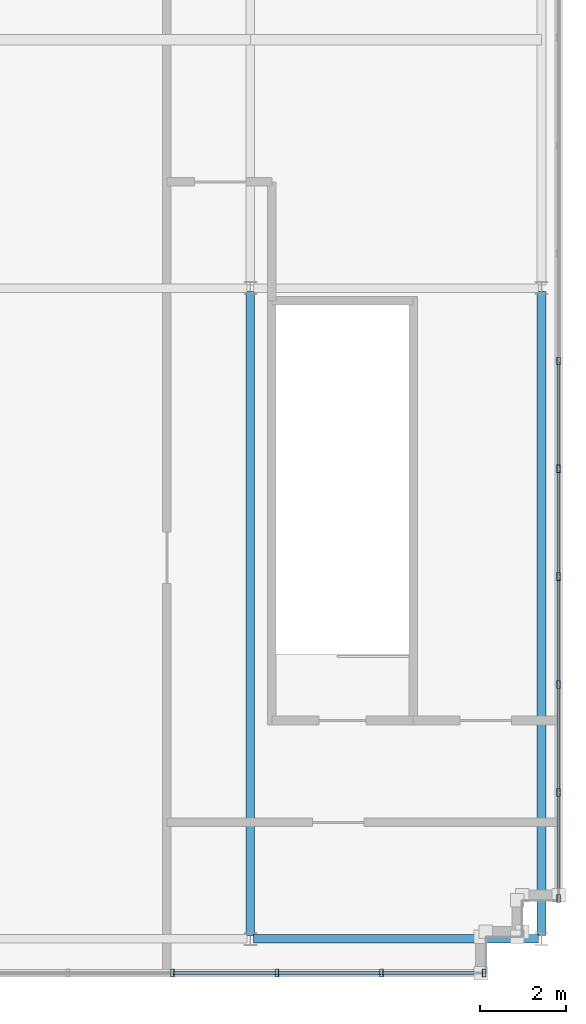
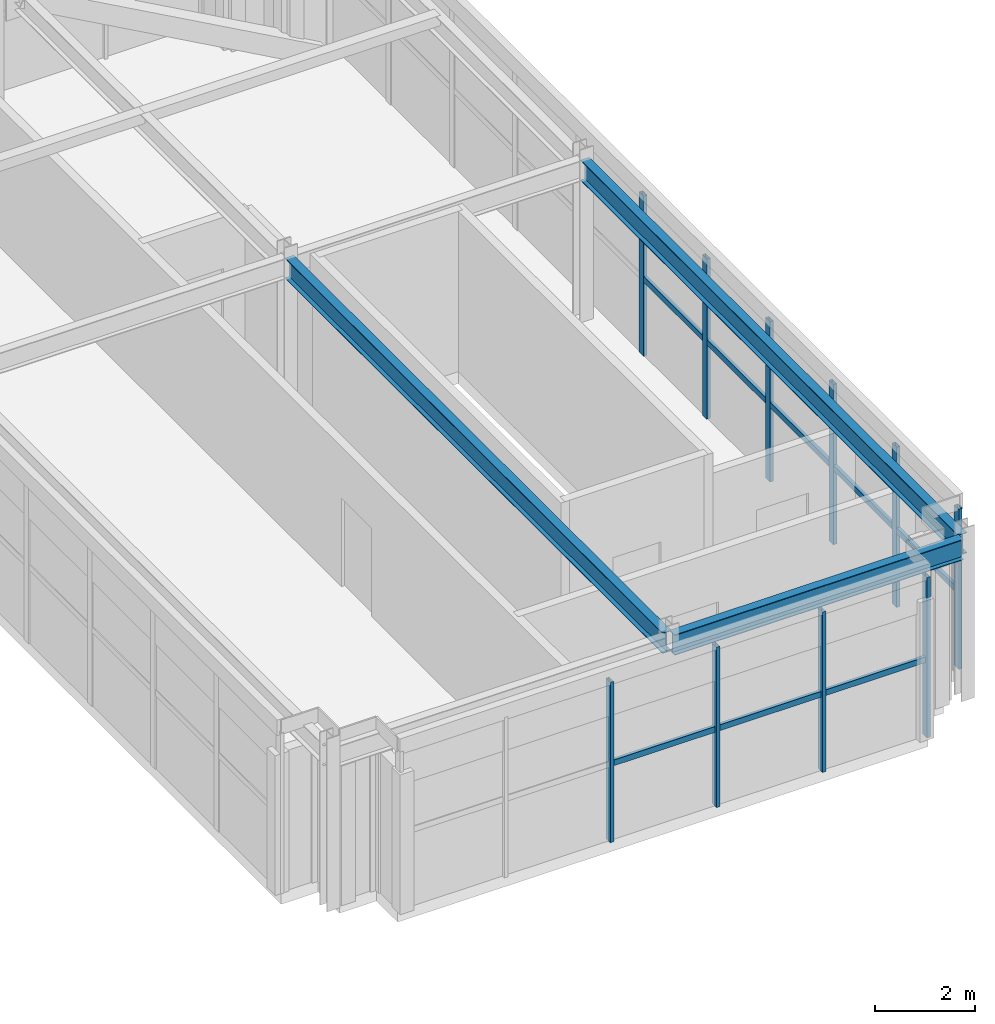
# One storey, part 14 of 25: 18 members, 3 beams, 2 elements without a shape of their own.
"""IFC4 building model written with IfcOpenShell, lengths in metres."""

from ifc_helpers import new_model, si_unit, direction, frame, origin, origin_2d, place, context, subcontext, project, spatial, hollow_rectangle, i_section, extrude, source, transform, mapped, material, material_profile, profile_set, type_object, element, aggregate, save


model = new_model("IFC4")

# Units and contexts
model_context = context("Model", 3, precision=1e-05, world=origin(), true_north=direction((0.0, 1.0)))
body_context = subcontext(model_context, "Body", "Model", "MODEL_VIEW")
ifc_project = project(units=[si_unit("LENGTHUNIT", "METRE"), si_unit("AREAUNIT", "SQUARE_METRE"), si_unit("VOLUMEUNIT", "CUBIC_METRE"), si_unit("PLANEANGLEUNIT", "RADIAN"), si_unit("MASSUNIT", "GRAM", prefix="KILO")], contexts=[model_context])

# Site, building, storey
site_placement = place(None, origin())
site = spatial("IfcSite", under=ifc_project, at=site_placement, CompositionType="ELEMENT")
building_placement = place(site_placement, origin())
building = spatial("IfcBuilding", under=site, at=building_placement, Name="Trelvane Seafront Commons", CompositionType="ELEMENT")
storey_placement = place(building_placement, frame((0.0, 0.0, 320.89990234375)))
storey = spatial("IfcBuildingStorey", under=building, at=storey_placement, Name="L83", CompositionType="ELEMENT", Elevation=320.89990234375)

# Beams
ifc_material_1 = material(Name="Steel SM355 (S355)", Category="steel")
ifc_material_profile_1 = material_profile(ifc_material_1, i_section(OverallWidth=0.199951171875, OverallDepth=0.5, WebThickness=0.010009765625, FlangeThickness=0.01611328125, at=origin_2d()), Name="H-500x200x10x16")
ifc_profile_set_1 = profile_set([ifc_material_profile_1], Name="Steel SM355 (S355)")
beam_type_1 = type_object("IfcBeamType", Name="STR-CROWN-FRAME-RING", PredefinedType="SPANDREL", material=ifc_profile_set_1)
shared_shape_1 = source(origin(), body_context, "Body", "SweptSolid", [
    extrude(i_section(OverallWidth=0.199951171875, OverallDepth=0.5, WebThickness=0.010009765625, FlangeThickness=0.01611328125, at=origin_2d()), origin(), (0.0, 0.0, 1.0), 6.64990234375),
])
beam_placement = place(storey_placement, frame((58.875, 18.199951171875, 3.650146484375), z_axis=(1.0, 0.0, 0.0), x_axis=(0.0, 1.0, 0.0)))
element("IfcBeam", 1, at=beam_placement, inside=storey, type_object=beam_type_1, Name="L83 CROWN FRAME Ring Beam G-04", PredefinedType="SPANDREL", context=body_context, shape_type="MappedRepresentation", body=[
    mapped(shared_shape_1, transform((0.0, 0.0, 0.0), x_axis=(1.0, 0.0, 0.0), y_axis=(0.0, 1.0, 0.0), z_axis=(0.0, 0.0, 1.0), scale=1.0)),
])
ifc_material_profile_2 = material_profile(ifc_material_1, i_section(OverallWidth=0.199951171875, OverallDepth=0.5, WebThickness=0.010009765625, FlangeThickness=0.01611328125, at=origin_2d()), Name="H-500x200x10x16")
ifc_profile_set_2 = profile_set([ifc_material_profile_2], Name="Steel SM355 (S355)")
beam_type_2 = type_object("IfcBeamType", Name="STR-BM-H500", PredefinedType="BEAM", material=ifc_profile_set_2)
shared_shape_2 = source(origin(), body_context, "Body", "SweptSolid", [
    extrude(i_section(OverallWidth=0.199951171875, OverallDepth=0.5, WebThickness=0.010009765625, FlangeThickness=0.01611328125, at=origin_2d()), origin(), (0.0, 0.0, 1.0), 15.050048828125),
])
for number, where, z_axis, x_axis, name in (
    (2, (58.800048828125, 18.27490234375, 3.650146484375), (0.0, 1.0, 0.0), (-1.0, 0.0, 0.0), "L83 Primary Girder G-21"),
    (3, (65.60009765625, 18.27490234375, 3.650146484375), (0.0, 1.0, 0.0), (-1.0, 0.0, 0.0), "L83 Primary Girder G-23"),
):
    element("IfcBeam", number, at=place(storey_placement, frame(where, z_axis=z_axis, x_axis=x_axis)), inside=storey, type_object=beam_type_2, Name=name, PredefinedType="BEAM", context=body_context, shape_type="MappedRepresentation", body=[
        mapped(shared_shape_2, transform((0.0, 0.0, 0.0), x_axis=(1.0, 0.0, 0.0), y_axis=(0.0, 1.0, 0.0), z_axis=(0.0, 0.0, 1.0), scale=1.0)),
    ])

# Curtain wall, members
ifc_material_2 = material(Name="Anodised pale-silver aluminium", Category="aluminium")
curtain_wall_type = type_object("IfcCurtainWallType", Name="ARCH-CW6-CROWN", PredefinedType="NOTDEFINED", material=ifc_material_2)
curtain_wall_1_placement = place(storey_placement, origin())
curtain_wall_1 = element("IfcCurtainWall", 4, at=curtain_wall_1_placement, inside=storey, type_object=curtain_wall_type, Name="CW-L83-0166", PredefinedType="NOTDEFINED")
ifc_material_profile_3 = material_profile(ifc_material_2, hollow_rectangle(XDim=0.080078125, YDim=0.179931640625, WallThickness=0.00439453125, at=origin_2d()), Name="MULL-80x180x4.5")
ifc_profile_set_3 = profile_set([ifc_material_profile_3], Name="Anodised pale-silver aluminium")
member_type_1 = type_object("IfcMemberType", Name="ARCH-CW-MULL-180", PredefinedType="MULLION", material=ifc_profile_set_3)
shared_shape_3 = source(origin(), body_context, "Body", "SweptSolid", [
    extrude(hollow_rectangle(XDim=0.080078125, YDim=0.179931640625, WallThickness=0.00439453125, at=origin_2d()), origin(), (0.0, 0.0, 1.0), 3.900146484375),
])
member_1_placement = place(storey_placement, frame((66.0, 31.699951171875, 0.0), z_axis=(0.0, 0.0, 1.0), x_axis=(1.0, 0.0, 0.0)))
member_1 = element("IfcMember", 5, at=member_1_placement, type_object=member_type_1, Name="CW-L83-0166-M05", PredefinedType="MULLION", context=body_context, shape_type="MappedRepresentation", body=[
    mapped(shared_shape_3, transform((0.0, 0.0, 0.0), x_axis=(1.0, 0.0, 0.0), y_axis=(0.0, 1.0, 0.0), z_axis=(0.0, 0.0, 1.0), scale=1.0)),
])
member_2_placement = place(storey_placement, frame((66.0, 29.179931640625, 0.0), z_axis=(0.0, 0.0, 1.0), x_axis=(1.0, 0.0, 0.0)))
member_2 = element("IfcMember", 6, at=member_2_placement, type_object=member_type_1, Name="CW-L83-0166-M06", PredefinedType="MULLION", context=body_context, shape_type="MappedRepresentation", body=[
    mapped(shared_shape_3, transform((0.0, 0.0, 0.0), x_axis=(1.0, 0.0, 0.0), y_axis=(0.0, 1.0, 0.0), z_axis=(0.0, 0.0, 1.0), scale=1.0)),
])
member_3_placement = place(storey_placement, frame((66.0, 26.659912109375, 0.0), z_axis=(0.0, 0.0, 1.0), x_axis=(1.0, 0.0, 0.0)))
member_3 = element("IfcMember", 7, at=member_3_placement, type_object=member_type_1, Name="CW-L83-0166-M07", PredefinedType="MULLION", context=body_context, shape_type="MappedRepresentation", body=[
    mapped(shared_shape_3, transform((0.0, 0.0, 0.0), x_axis=(1.0, 0.0, 0.0), y_axis=(0.0, 1.0, 0.0), z_axis=(0.0, 0.0, 1.0), scale=1.0)),
])
member_4_placement = place(storey_placement, frame((66.0, 24.139892578125, 0.0), z_axis=(0.0, 0.0, 1.0), x_axis=(1.0, 0.0, 0.0)))
member_4 = element("IfcMember", 8, at=member_4_placement, type_object=member_type_1, Name="CW-L83-0166-M08", PredefinedType="MULLION", context=body_context, shape_type="MappedRepresentation", body=[
    mapped(shared_shape_3, transform((0.0, 0.0, 0.0), x_axis=(1.0, 0.0, 0.0), y_axis=(0.0, 1.0, 0.0), z_axis=(0.0, 0.0, 1.0), scale=1.0)),
])
member_5_placement = place(storey_placement, frame((66.0, 21.6201171875, 0.0), z_axis=(0.0, 0.0, 1.0), x_axis=(1.0, 0.0, 0.0)))
member_5 = element("IfcMember", 9, at=member_5_placement, type_object=member_type_1, Name="CW-L83-0166-M09", PredefinedType="MULLION", context=body_context, shape_type="MappedRepresentation", body=[
    mapped(shared_shape_3, transform((0.0, 0.0, 0.0), x_axis=(1.0, 0.0, 0.0), y_axis=(0.0, 1.0, 0.0), z_axis=(0.0, 0.0, 1.0), scale=1.0)),
])
member_6_placement = place(storey_placement, frame((66.0, 19.139892578125, 0.0), z_axis=(0.0, 0.0, 1.0), x_axis=(1.0, 0.0, 0.0)))
member_6 = element("IfcMember", 10, at=member_6_placement, type_object=member_type_1, Name="CW-L83-0166-M10", PredefinedType="MULLION", context=body_context, shape_type="MappedRepresentation", body=[
    mapped(shared_shape_3, transform((0.0, 0.0, 0.0), x_axis=(1.0, 0.0, 0.0), y_axis=(0.0, 1.0, 0.0), z_axis=(0.0, 0.0, 1.0), scale=1.0)),
])

curtain_wall_2_placement = place(storey_placement, origin())
curtain_wall_2 = element("IfcCurtainWall", 11, at=curtain_wall_2_placement, inside=storey, type_object=curtain_wall_type, Name="CW-L83-0167", PredefinedType="NOTDEFINED")
member_7_placement = place(storey_placement, frame((64.260009765625, 17.39990234375, 0.0), z_axis=(0.0, 0.0, 1.0), x_axis=(1.0, 0.0, 0.0)))
member_7 = element("IfcMember", 12, at=member_7_placement, type_object=member_type_1, Name="CW-L83-0167-M00", PredefinedType="MULLION", context=body_context, shape_type="MappedRepresentation", body=[
    mapped(shared_shape_3, transform((0.0, 0.0, 0.0), x_axis=(1.0, 0.0, 0.0), y_axis=(0.0, 1.0, 0.0), z_axis=(0.0, 0.0, 1.0), scale=1.0)),
])
member_8_placement = place(storey_placement, frame((61.860107421875, 17.39990234375, 0.0), z_axis=(0.0, 0.0, 1.0), x_axis=(1.0, 0.0, 0.0)))
member_8 = element("IfcMember", 13, at=member_8_placement, type_object=member_type_1, Name="CW-L83-0167-M01", PredefinedType="MULLION", context=body_context, shape_type="MappedRepresentation", body=[
    mapped(shared_shape_3, transform((0.0, 0.0, 0.0), x_axis=(1.0, 0.0, 0.0), y_axis=(0.0, 1.0, 0.0), z_axis=(0.0, 0.0, 1.0), scale=1.0)),
])
member_9_placement = place(storey_placement, frame((59.419921875, 17.39990234375, 0.0), z_axis=(0.0, 0.0, 1.0), x_axis=(1.0, 0.0, 0.0)))
member_9 = element("IfcMember", 14, at=member_9_placement, type_object=member_type_1, Name="CW-L83-0167-M02", PredefinedType="MULLION", context=body_context, shape_type="MappedRepresentation", body=[
    mapped(shared_shape_3, transform((0.0, 0.0, 0.0), x_axis=(1.0, 0.0, 0.0), y_axis=(0.0, 1.0, 0.0), z_axis=(0.0, 0.0, 1.0), scale=1.0)),
])
member_10_placement = place(storey_placement, frame((56.97998046875, 17.39990234375, 0.0), z_axis=(0.0, 0.0, 1.0), x_axis=(1.0, 0.0, 0.0)))
member_10 = element("IfcMember", 15, at=member_10_placement, type_object=member_type_1, Name="CW-L83-0167-M03", PredefinedType="MULLION", context=body_context, shape_type="MappedRepresentation", body=[
    mapped(shared_shape_3, transform((0.0, 0.0, 0.0), x_axis=(1.0, 0.0, 0.0), y_axis=(0.0, 1.0, 0.0), z_axis=(0.0, 0.0, 1.0), scale=1.0)),
])

# Member
ifc_material_profile_4 = material_profile(ifc_material_2, hollow_rectangle(XDim=0.074951171875, YDim=0.139892578125, WallThickness=0.00390625, at=origin_2d()), Name="TRAN-75x140x4")
ifc_profile_set_4 = profile_set([ifc_material_profile_4], Name="Anodised pale-silver aluminium")
member_type_2 = type_object("IfcMemberType", Name="ARCH-CW-TRAN-140", PredefinedType="USERDEFINED", material=ifc_profile_set_4)
shared_shape_4 = source(origin(), body_context, "Body", "SweptSolid", [
    extrude(hollow_rectangle(XDim=0.074951171875, YDim=0.139892578125, WallThickness=0.00390625, at=origin_2d()), origin(), (0.0, 0.0, 1.0), 2.495849609375),
])
member_11_placement = place(storey_placement, frame((66.0, 29.16796875, 1.8720703125), z_axis=(0.0, -1.0, 0.0), x_axis=(1.0, 0.0, 0.0)))
member_11 = element("IfcMember", 16, at=member_11_placement, type_object=member_type_2, Name="CW-L83-0166-T06", ObjectType="TRANSOM", PredefinedType="USERDEFINED", context=body_context, shape_type="MappedRepresentation", body=[
    mapped(shared_shape_4, transform((0.0, 0.0, 0.0), x_axis=(1.0, 0.0, 0.0), y_axis=(0.0, 1.0, 0.0), z_axis=(0.0, 0.0, 1.0), scale=1.0)),
])

member_12_placement = place(storey_placement, frame((66.0, 26.64794921875, 1.8720703125), z_axis=(0.0, -1.0, 0.0), x_axis=(1.0, 0.0, 0.0)))
member_12 = element("IfcMember", 17, at=member_12_placement, type_object=member_type_2, Name="CW-L83-0166-T07", ObjectType="TRANSOM", PredefinedType="USERDEFINED", context=body_context, shape_type="MappedRepresentation", body=[
    mapped(shared_shape_4, transform((0.0, 0.0, 0.0), x_axis=(1.0, 0.0, 0.0), y_axis=(0.0, 1.0, 0.0), z_axis=(0.0, 0.0, 1.0), scale=1.0)),
])

member_13_placement = place(storey_placement, frame((66.0, 24.1279296875, 1.8720703125), z_axis=(0.0, -1.0, 0.0), x_axis=(1.0, 0.0, 0.0)))
member_13 = element("IfcMember", 18, at=member_13_placement, type_object=member_type_2, Name="CW-L83-0166-T08", ObjectType="TRANSOM", PredefinedType="USERDEFINED", context=body_context, shape_type="MappedRepresentation", body=[
    mapped(shared_shape_4, transform((0.0, 0.0, 0.0), x_axis=(1.0, 0.0, 0.0), y_axis=(0.0, 1.0, 0.0), z_axis=(0.0, 0.0, 1.0), scale=1.0)),
])

member_14_placement = place(storey_placement, frame((66.0, 21.60791015625, 1.8720703125), z_axis=(0.0, -1.0, 0.0), x_axis=(1.0, 0.0, 0.0)))
member_14 = element("IfcMember", 19, at=member_14_placement, type_object=member_type_2, Name="CW-L83-0166-T09", ObjectType="TRANSOM", PredefinedType="USERDEFINED", context=body_context, shape_type="MappedRepresentation", body=[
    mapped(shared_shape_4, transform((0.0, 0.0, 0.0), x_axis=(1.0, 0.0, 0.0), y_axis=(0.0, 1.0, 0.0), z_axis=(0.0, 0.0, 1.0), scale=1.0)),
])

shared_shape_5 = source(origin(), body_context, "Body", "SweptSolid", [
    extrude(hollow_rectangle(XDim=0.074951171875, YDim=0.139892578125, WallThickness=0.00390625, at=origin_2d()), origin(), (0.0, 0.0, 1.0), 2.49609375),
])
member_15_placement = place(storey_placement, frame((66.0, 31.68798828125, 1.8720703125), z_axis=(0.0, -1.0, 0.0), x_axis=(1.0, 0.0, 0.0)))
member_15 = element("IfcMember", 20, at=member_15_placement, type_object=member_type_2, Name="CW-L83-0166-T05", ObjectType="TRANSOM", PredefinedType="USERDEFINED", context=body_context, shape_type="MappedRepresentation", body=[
    mapped(shared_shape_5, transform((0.0, 0.0, 0.0), x_axis=(1.0, 0.0, 0.0), y_axis=(0.0, 1.0, 0.0), z_axis=(0.0, 0.0, 1.0), scale=1.0)),
])

aggregate(curtain_wall_1, [member_1, member_2, member_3, member_4, member_5, member_6, member_15, member_11, member_12, member_13, member_14])

shared_shape_6 = source(origin(), body_context, "Body", "SweptSolid", [
    extrude(hollow_rectangle(XDim=0.074951171875, YDim=0.139892578125, WallThickness=0.00390625, at=origin_2d()), origin(), (0.0, 0.0, 1.0), 2.416015625),
])
member_16_placement = place(storey_placement, frame((64.2880859375, 17.39990234375, 1.8720703125), z_axis=(-1.0, 0.0, 0.0), x_axis=(0.0, -1.0, 0.0)))
member_16 = element("IfcMember", 21, at=member_16_placement, type_object=member_type_2, Name="CW-L83-0167-T00", ObjectType="TRANSOM", PredefinedType="USERDEFINED", context=body_context, shape_type="MappedRepresentation", body=[
    mapped(shared_shape_6, transform((0.0, 0.0, 0.0), x_axis=(1.0, 0.0, 0.0), y_axis=(0.0, 1.0, 0.0), z_axis=(0.0, 0.0, 1.0), scale=1.0)),
])

member_17_placement = place(storey_placement, frame((61.847900390625, 17.39990234375, 1.8720703125), z_axis=(-1.0, 0.0, 0.0), x_axis=(0.0, -1.0, 0.0)))
member_17 = element("IfcMember", 22, at=member_17_placement, type_object=member_type_2, Name="CW-L83-0167-T01", ObjectType="TRANSOM", PredefinedType="USERDEFINED", context=body_context, shape_type="MappedRepresentation", body=[
    mapped(shared_shape_6, transform((0.0, 0.0, 0.0), x_axis=(1.0, 0.0, 0.0), y_axis=(0.0, 1.0, 0.0), z_axis=(0.0, 0.0, 1.0), scale=1.0)),
])

member_18_placement = place(storey_placement, frame((59.407958984375, 17.39990234375, 1.8720703125), z_axis=(-1.0, 0.0, 0.0), x_axis=(0.0, -1.0, 0.0)))
member_18 = element("IfcMember", 23, at=member_18_placement, type_object=member_type_2, Name="CW-L83-0167-T02", ObjectType="TRANSOM", PredefinedType="USERDEFINED", context=body_context, shape_type="MappedRepresentation", body=[
    mapped(shared_shape_6, transform((0.0, 0.0, 0.0), x_axis=(1.0, 0.0, 0.0), y_axis=(0.0, 1.0, 0.0), z_axis=(0.0, 0.0, 1.0), scale=1.0)),
])

aggregate(curtain_wall_2, [member_7, member_8, member_9, member_10, member_16, member_17, member_18])

save(model, "model.ifc")
